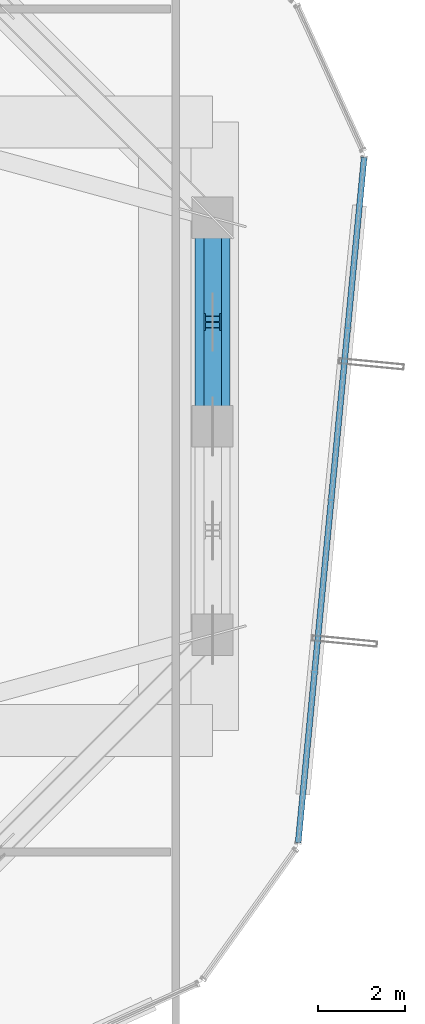
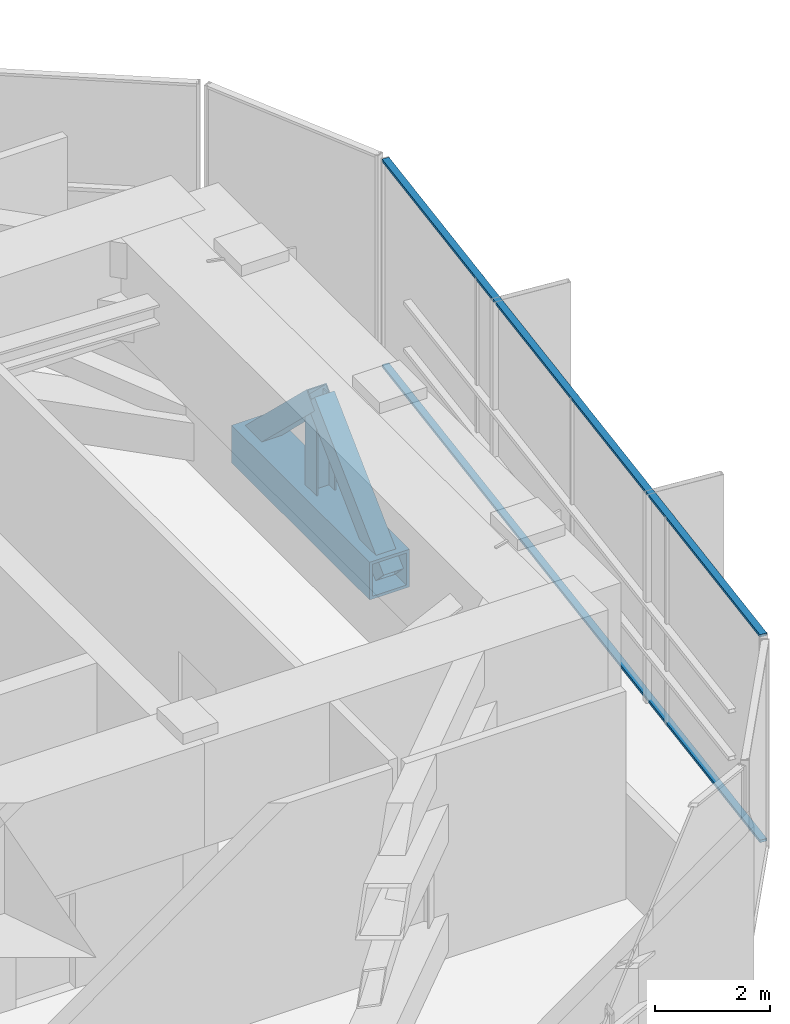
# One storey, part 19 of 31: 6 members, 1 element without a shape of its own.
"""IFC4 building model written with IfcOpenShell, lengths in metres."""

from ifc_helpers import new_model, si_unit, direction, frame, origin, origin_2d, place, context, subcontext, project, spatial, hollow_rectangle, i_section, extrude, source, transform, mapped, material, layer, layer_set, material_profile, profile_set, type_object, element, aggregate, save


model = new_model("IFC4")

# Units and contexts
model_context = context("Model", 3, precision=1e-05, world=origin(), true_north=direction((0.0, 1.0)))
body_context = subcontext(model_context, "Body", "Model", "MODEL_VIEW")
ifc_project = project(units=[si_unit("LENGTHUNIT", "METRE"), si_unit("AREAUNIT", "SQUARE_METRE"), si_unit("VOLUMEUNIT", "CUBIC_METRE"), si_unit("PLANEANGLEUNIT", "RADIAN"), si_unit("MASSUNIT", "GRAM", prefix="KILO")], contexts=[model_context])

# Site, building, storey
site_placement = place(None, origin())
site = spatial("IfcSite", under=ifc_project, at=site_placement, CompositionType="ELEMENT")
building_placement = place(site_placement, origin())
building = spatial("IfcBuilding", under=site, at=building_placement, Name="Veraguas Prism Commons", CompositionType="ELEMENT")
storey_placement = place(building_placement, frame((0.0, 0.0, 225.39990234375)))
storey = spatial("IfcBuildingStorey", under=building, at=storey_placement, Name="L64", CompositionType="ELEMENT", Elevation=225.39990234375)

# Members
ifc_material_1 = material(Name="Steel ASTM A913 Grade 65", Category="steel")
ifc_material_profile_1 = material_profile(ifc_material_1, hollow_rectangle(XDim=0.800048828125, YDim=0.800048828125, WallThickness=0.06005859375, at=origin_2d()), Name="BOX800X800X60")
ifc_profile_set_1 = profile_set([ifc_material_profile_1], Name="Steel ASTM A913 Grade 65")
member_type_1 = type_object("IfcMemberType", Name="Belt Truss Chord L64 Box 800x800x60", PredefinedType="CHORD", material=ifc_profile_set_1)
member_1_placement = place(storey_placement, frame((38.89990234375, 24.0, 0.550048828125), z_axis=(0.0, 1.0, 0.0), x_axis=(-1.0, 0.0, 0.0)))
element("IfcMember", 1, at=member_1_placement, inside=storey, type_object=member_type_1, Name="Perimeter Belt Truss Chord Bottom L64-02", PredefinedType="CHORD", context=body_context, shape_type="SweptSolid", body=[
    extrude(hollow_rectangle(XDim=0.800048828125, YDim=0.800048828125, WallThickness=0.06005859375, at=origin_2d()), origin(), (0.0, 0.0, 1.0), 4.800048828125),
])
ifc_material_2 = material(Name="Steel ASTM A992 Grade 50", Category="steel")
ifc_material_profile_2 = material_profile(ifc_material_2, i_section(OverallWidth=0.39794921875, OverallDepth=0.386962890625, WebThickness=0.01904296875, FlangeThickness=0.0302734375, at=origin_2d()), Name="W360X262")
ifc_profile_set_2 = profile_set([ifc_material_profile_2], Name="Steel ASTM A992 Grade 50")
member_type_2 = type_object("IfcMemberType", Name="Belt Truss Vertical Strut W360x262", PredefinedType="STRUT", material=ifc_profile_set_2)
member_2_placement = place(storey_placement, frame((38.89990234375, 26.39990234375, 0.550048828125), z_axis=(0.0, 0.0, 1.0), x_axis=(0.0, 1.0, 0.0)))
element("IfcMember", 2, at=member_2_placement, inside=storey, type_object=member_type_2, Name="Perimeter Belt Truss Strut L64-02", PredefinedType="STRUT", context=body_context, shape_type="SweptSolid", body=[
    extrude(i_section(OverallWidth=0.39794921875, OverallDepth=0.386962890625, WebThickness=0.01904296875, FlangeThickness=0.0302734375, at=origin_2d()), origin(), (0.0, 0.0, 1.0), 2.31494140625),
])
ifc_material_3 = material(Name="Steel ASTM A500 Grade C", Category="steel")
ifc_material_profile_3 = material_profile(ifc_material_3, hollow_rectangle(XDim=0.39990234375, YDim=0.39990234375, WallThickness=0.02001953125, at=origin_2d()), Name="HSS400X400X20")
ifc_profile_set_3 = profile_set([ifc_material_profile_3], Name="Steel ASTM A500 Grade C")
member_type_3 = type_object("IfcMemberType", Name="Wind Portal V-Brace HSS 400x400x20", PredefinedType="BRACE", material=ifc_profile_set_3)
member_3_placement = place(storey_placement, frame((38.89990234375, 24.0, 0.550048828125), z_axis=(0.0, 0.719731918537, 0.694252090699), x_axis=(-1.0, 0.0, 0.0)))
element("IfcMember", 3, at=member_3_placement, inside=storey, type_object=member_type_3, Name="Perimeter Belt Truss Brace L64-02A", PredefinedType="BRACE", context=body_context, shape_type="SweptSolid", body=[
    extrude(hollow_rectangle(XDim=0.39990234375, YDim=0.39990234375, WallThickness=0.02001953125, at=origin_2d()), origin(), (0.0, 0.0, 1.0), 3.33447265625),
])
member_4_placement = place(storey_placement, frame((38.89990234375, 28.800048828125, 0.550048828125), z_axis=(0.0, -0.719767205746, 0.694215506549), x_axis=(1.0, 0.0, 0.0)))
element("IfcMember", 4, at=member_4_placement, inside=storey, type_object=member_type_3, Name="Perimeter Belt Truss Brace L64-02B", PredefinedType="BRACE", context=body_context, shape_type="SweptSolid", body=[
    extrude(hollow_rectangle(XDim=0.39990234375, YDim=0.39990234375, WallThickness=0.02001953125, at=origin_2d()), origin(), (0.0, 0.0, 1.0), 3.334716796875),
])

# Curtain wall, members
ifc_material_4 = material(Name="Anodised aluminium EN AW-6063 T6", Category="aluminium")
ifc_layer = layer(ifc_material_4, 0.14990234375, Name="Unitised Flush Curtain Wall Zone 3", Category="aluminium")
ifc_layer_set = layer_set([ifc_layer], Name="Anodised aluminium EN AW-6063 T6")
curtain_wall_type = type_object("IfcCurtainWallType", Name="Unitised Flush Curtain Wall Zone 3", PredefinedType="NOTDEFINED", material=ifc_layer_set)
curtain_wall_placement = place(storey_placement, origin())
curtain_wall = element("IfcCurtainWall", 5, at=curtain_wall_placement, inside=storey, type_object=curtain_wall_type, Name="Tower Facade Curtain Wall L64-F6", PredefinedType="NOTDEFINED")
ifc_material_profile_4 = material_profile(ifc_material_4, hollow_rectangle(XDim=0.054931640625, YDim=0.135009765625, WallThickness=0.0029296875, at=origin_2d()), Name="AL55X135X3")
ifc_profile_set_4 = profile_set([ifc_material_profile_4], Name="Anodised aluminium EN AW-6063 T6")
member_type_4 = type_object("IfcMemberType", Name="Curtain Wall Transom Standard AL 55x135x3", PredefinedType="USERDEFINED", material=ifc_profile_set_4)
shared_shape = source(origin(), body_context, "Body", "SweptSolid", [
    extrude(hollow_rectangle(XDim=0.054931640625, YDim=0.135009765625, WallThickness=0.0029296875, at=origin_2d()), origin(), (0.0, 0.0, 1.0), 15.842529296875),
])
member_5_placement = place(storey_placement, frame((40.869384765625, 14.417724609375, 0.027587890625), z_axis=(0.095853353378, 0.995395466459, 0.0), x_axis=(0.0, 0.0, 1.0)))
member_5 = element("IfcMember", 6, at=member_5_placement, type_object=member_type_4, Name="CW-Z3 Transom 1", ObjectType="TRANSOM", PredefinedType="USERDEFINED", context=body_context, shape_type="MappedRepresentation", body=[
    mapped(shared_shape, transform((0.0, 0.0, 0.0), scale=1.0)),
])
member_6_placement = place(storey_placement, frame((40.869384765625, 14.417724609375, 4.3876953125), z_axis=(0.095853353378, 0.995395466459, 0.0), x_axis=(0.0, 0.0, 1.0)))
member_6 = element("IfcMember", 7, at=member_6_placement, type_object=member_type_4, Name="CW-Z3 Transom 2", ObjectType="TRANSOM", PredefinedType="USERDEFINED", context=body_context, shape_type="MappedRepresentation", body=[
    mapped(shared_shape, transform((0.0, 0.0, 0.0), scale=1.0)),
])
aggregate(curtain_wall, [member_5, member_6])

save(model, "model.ifc")
